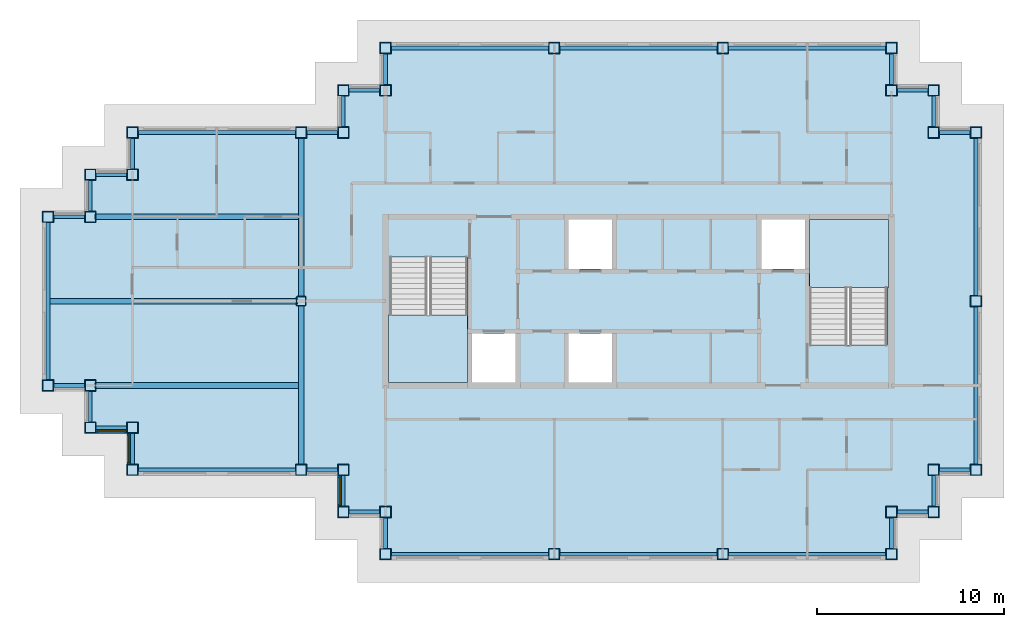
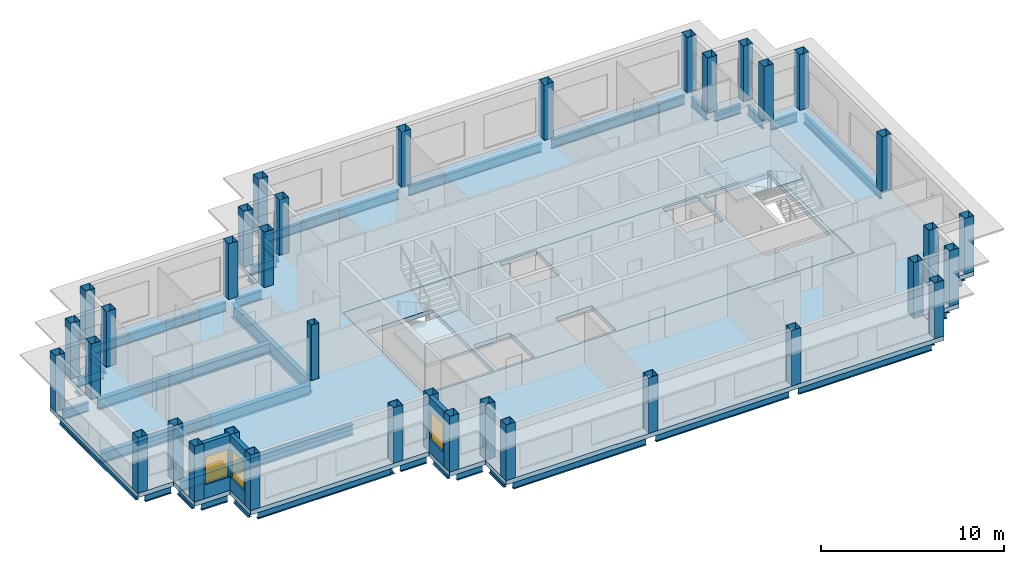
# One storey, part 1 of 11: 40 beams, 36 columns, 4 slabs, 3 walls, 3 windows, 3 openings, 2 elements without a shape of their own.
"""IFC4 building model written with IfcOpenShell, lengths in metres."""

import ifcopenshell
import ifcopenshell.guid

model = None  # the IFC model being written
_history = None  # IfcOwnerHistory: only IFC2X3 demands one
_inside = {}  # id of a spatial element -> (the spatial element, [elements in it])
_under = {}  # id of a project, library or spatial element -> (it, [spatial elements below it])
_declared = {}  # id of a project -> (the project, [libraries it declares])
_typed = {}  # id of a type object -> (the type object, [elements of that type])
_made_of = {}  # id of a material, layer set ... -> (it, [elements and type objects made of it])


def new_model(schema):
    """Start an empty IFC model of exactly this schema.

    Asked for "IFC4X3", IfcOpenShell would pick the latest addendum, in which some entities
    have other attributes; the version numbers below select the first issue.
    IFC2X3 requires an IfcOwnerHistory on every rooted entity: one is made here for all.
    """
    global model, _history
    if schema == "IFC4X3":
        model = ifcopenshell.file(schema_version=(4, 3, 0, 0))
    else:
        model = ifcopenshell.file(schema=schema)
    _inside.clear()
    _under.clear()
    _declared.clear()
    _typed.clear()
    _made_of.clear()
    _history = None
    if model.schema == "IFC2X3":
        org = make("IfcOrganization", Name="unknown")
        user = make(
            "IfcPersonAndOrganization",
            ThePerson=make("IfcPerson", FamilyName="unknown"),
            TheOrganization=org,
        )
        app = make(
            "IfcApplication",
            ApplicationDeveloper=org,
            Version="unknown",
            ApplicationFullName="unknown",
            ApplicationIdentifier="unknown",
        )
        _history = make(
            "IfcOwnerHistory",
            OwningUser=user,
            OwningApplication=app,
            ChangeAction="ADDED",
            CreationDate=0,
        )
    return model


def make(cls, **values):
    """One entity of the class cls with the attributes given. An attribute that is None is left unset."""
    return model.create_entity(
        cls, **{name: value for name, value in values.items() if value is not None}
    )


def rooted(cls, **values):
    """An entity with a GlobalId (a new one), such as an element, a storey or a relation."""
    return make(cls, GlobalId=ifcopenshell.guid.new(), OwnerHistory=_history, **values)


def si_unit(unit_type, name, prefix=None):
    """IfcSIUnit, for example si_unit("LENGTHUNIT", "METRE", prefix="MILLI")."""
    return make("IfcSIUnit", UnitType=unit_type, Prefix=prefix, Name=name)


def assignment(units):
    """IfcUnitAssignment: the units of a project."""
    return None if units is None else make("IfcUnitAssignment", Units=units)


def point(xyz):
    """IfcCartesianPoint."""
    return None if xyz is None else make("IfcCartesianPoint", Coordinates=xyz)


def direction(xyz):
    """IfcDirection."""
    return None if xyz is None else make("IfcDirection", DirectionRatios=xyz)


def frame(location, z_axis=None, x_axis=None):
    """IfcAxis2Placement3D, a coordinate frame: its origin and axes. An axis left out is left unset."""
    return make(
        "IfcAxis2Placement3D",
        Location=point(location),
        Axis=direction(z_axis),
        RefDirection=direction(x_axis),
    )


def frame_2d(location, x_axis=None):
    """IfcAxis2Placement2D, a coordinate frame in the plane: its origin and x axis."""
    return make(
        "IfcAxis2Placement2D", Location=point(location), RefDirection=direction(x_axis)
    )


def origin():
    """The frame at (0, 0, 0) with its axes left unset."""
    return frame((0.0, 0.0, 0.0))


def origin_2d():
    """The frame at (0, 0) in the plane with its x axis left unset."""
    return frame_2d((0.0, 0.0))


def place(relative_to, where):
    """IfcLocalPlacement: puts the frame where relative to a parent placement (None: the world)."""
    return make(
        "IfcLocalPlacement", PlacementRelTo=relative_to, RelativePlacement=where
    )


def context(
    kind, dimensions, precision=None, world=None, true_north=None, identifier=None
):
    """IfcGeometricRepresentationContext, for example the 3D "Model" context."""
    return make(
        "IfcGeometricRepresentationContext",
        ContextIdentifier=identifier,
        ContextType=kind,
        CoordinateSpaceDimension=dimensions,
        Precision=precision,
        WorldCoordinateSystem=world,
        TrueNorth=true_north,
    )


def subcontext(parent, identifier, kind, view, scale=None):
    """IfcGeometricRepresentationSubContext, for example "Body" below "Model"."""
    return make(
        "IfcGeometricRepresentationSubContext",
        ContextIdentifier=identifier,
        ContextType=kind,
        ParentContext=parent,
        TargetScale=scale,
        TargetView=view,
    )


def project(units=None, contexts=None):
    """IfcProject with its units and contexts."""
    return rooted(
        "IfcProject",
        Name="project",
        RepresentationContexts=contexts,
        UnitsInContext=assignment(units),
    )


def spatial(cls, under=None, at=None, **own):
    """A site, building, storey or space (cls), placed at a placement, below another one or the project."""
    s = rooted(cls, ObjectPlacement=at, **own)
    if under is not None:
        _under.setdefault(under.id(), (under, []))[1].append(s)
    return s


def polyline(points):
    """IfcPolyline through the points."""
    return make("IfcPolyline", Points=[point(p) for p in points])


def profile(cls, at=None, kind="AREA", **sizes):
    """A parametric profile (cls). Its sizes go by their IFC names, for example OverallWidth=200.0."""
    return make(cls, ProfileType=kind, Position=at, **sizes)


def rectangle(**sizes):
    """IfcRectangleProfileDef."""
    return profile("IfcRectangleProfileDef", **sizes)


def hollow_rectangle(**sizes):
    """IfcRectangleHollowProfileDef."""
    return profile("IfcRectangleHollowProfileDef", **sizes)


def i_section(**sizes):
    """IfcIShapeProfileDef."""
    return profile("IfcIShapeProfileDef", **sizes)


def outline(outer, holes=None, kind="AREA"):
    """IfcArbitraryClosedProfileDef: a profile drawn as a closed curve; with holes, ...WithVoids."""
    if holes is None:
        return make("IfcArbitraryClosedProfileDef", ProfileType=kind, OuterCurve=outer)
    return make(
        "IfcArbitraryProfileDefWithVoids",
        ProfileType=kind,
        OuterCurve=outer,
        InnerCurves=holes,
    )


def extrude(swept, where, along, depth):
    """IfcExtrudedAreaSolid: the profile swept, set in the frame where, extruded along a direction by depth."""
    return make(
        "IfcExtrudedAreaSolid",
        SweptArea=swept,
        Position=where,
        ExtrudedDirection=direction(along),
        Depth=depth,
    )


def shape(context_of_items, identifier, shape_type, items):
    """IfcShapeRepresentation: the items that make up one representation, for example the "Body"."""
    return make(
        "IfcShapeRepresentation",
        ContextOfItems=context_of_items,
        RepresentationIdentifier=identifier,
        RepresentationType=shape_type,
        Items=items,
    )


def material(Name=None, Category=None):
    """IfcMaterial."""
    return make("IfcMaterial", Name=Name, Category=Category)


def layer(
    of_material, thickness, ventilated=None, Name=None, Category=None, Priority=None
):
    """IfcMaterialLayer: one layer of a wall or slab, of a material (None: an air gap)."""
    return make(
        "IfcMaterialLayer",
        Material=of_material,
        LayerThickness=thickness,
        IsVentilated=ventilated,
        Name=Name,
        Category=Category,
        Priority=Priority,
    )


def layer_set(layers, Name=None):
    """IfcMaterialLayerSet."""
    return make("IfcMaterialLayerSet", MaterialLayers=layers, LayerSetName=Name)


def material_profile(
    of_material, cross_section, Name=None, Category=None, Priority=None
):
    """IfcMaterialProfile: a cross section and its material."""
    return make(
        "IfcMaterialProfile",
        Name=Name,
        Material=of_material,
        Profile=cross_section,
        Priority=Priority,
        Category=Category,
    )


def profile_set(profiles, Name=None, composite=None):
    """IfcMaterialProfileSet."""
    return make(
        "IfcMaterialProfileSet",
        Name=Name,
        MaterialProfiles=profiles,
        CompositeProfile=composite,
    )


def made_of(thing, what):
    """Note that an element or type object is made of a material, layer set ...; save() writes the relation."""
    if what is not None:
        _made_of.setdefault(what.id(), (what, []))[1].append(thing)
    return thing


def type_object(cls, material=None, **own):
    """A type object (cls), such as IfcWallType, which elements share."""
    return made_of(rooted(cls, **own), material)


def element(
    cls,
    number,
    at=None,
    inside=None,
    cuts=None,
    type_object=None,
    material=None,
    context=None,
    identifier="Body",
    shape_type=None,
    held_by="IfcProductDefinitionShape",
    body=None,
    shapes=None,
    **own,
):
    """One element of the class cls, such as IfcWall. Its Tag is "e" and its number.

    at: its placement. inside: the storey or other place that contains it. cuts: it is an
    opening in that element (IfcRelVoidsElement). A single representation is given by context,
    identifier, shape_type and body (its items); several are given by shapes. held_by: the class
    of the entity that holds the representations. save() writes the other relations.
    """
    e = rooted(cls, Tag="e%d" % number, ObjectPlacement=at, **own)
    if body is not None:
        shapes = [shape(context, identifier, shape_type, body)]
    if shapes is not None:
        e.Representation = make(held_by, Representations=shapes)
    if inside is not None:
        _inside.setdefault(inside.id(), (inside, []))[1].append(e)
    if cuts is not None:
        rooted(
            "IfcRelVoidsElement", RelatingBuildingElement=cuts, RelatedOpeningElement=e
        )
    if type_object is not None:
        _typed.setdefault(type_object.id(), (type_object, []))[1].append(e)
    return made_of(e, material)


def fill(opening, filler):
    """IfcRelFillsElement: the door or window that sits in an opening."""
    return rooted(
        "IfcRelFillsElement",
        RelatingOpeningElement=opening,
        RelatedBuildingElement=filler,
    )


def aggregate(whole, parts):
    """IfcRelAggregates: a whole, such as a stair, and the parts it consists of."""
    return rooted("IfcRelAggregates", RelatingObject=whole, RelatedObjects=parts)


def save(model, path):
    """Write the relations noted so far, then the file.

    IfcRelAggregates (storeys below a building ...), IfcRelContainedInSpatialStructure (elements
    in a storey), IfcRelDefinesByType, IfcRelAssociatesMaterial and IfcRelDeclares: one each for
    every whole, place, type object, material and project.
    """
    for whole, parts in _under.values():
        aggregate(whole, parts)
    for where, things in _inside.values():
        rooted(
            "IfcRelContainedInSpatialStructure",
            RelatedElements=things,
            RelatingStructure=where,
        )
    for kind, things in _typed.values():
        rooted("IfcRelDefinesByType", RelatedObjects=things, RelatingType=kind)
    for what, things in _made_of.values():
        rooted("IfcRelAssociatesMaterial", RelatedObjects=things, RelatingMaterial=what)
    for by, libraries in _declared.values():
        rooted("IfcRelDeclares", RelatingContext=by, RelatedDefinitions=libraries)
    model.write(path)


model = new_model("IFC4")

# Units and contexts
model_context = context("Model", 3, precision=1e-05, world=origin(), true_north=direction((0.0, 1.0)))
body_context = subcontext(model_context, "Body", "Model", "MODEL_VIEW")
ifc_project = project(units=[si_unit("LENGTHUNIT", "METRE"), si_unit("AREAUNIT", "SQUARE_METRE"), si_unit("VOLUMEUNIT", "CUBIC_METRE"), si_unit("PLANEANGLEUNIT", "RADIAN"), si_unit("MASSUNIT", "GRAM", prefix="KILO")], contexts=[model_context])

# Site, building, storey
site_placement = place(None, origin())
site = spatial("IfcSite", under=ifc_project, at=site_placement, CompositionType="ELEMENT")
building_placement = place(site_placement, origin())
building = spatial("IfcBuilding", under=site, at=building_placement, Name="Caravel Reach Hotel and Residences", CompositionType="ELEMENT")
storey_placement = place(building_placement, frame((0.0, 0.0, 260.10009765625)))
storey = spatial("IfcBuildingStorey", under=building, at=storey_placement, Name="L66", CompositionType="ELEMENT", Elevation=260.10009765625)

# Columns
ifc_material_1 = material(Name="Concrete-filled steel tube Q390B with Concrete C60 infill", Category="concrete")
ifc_material_profile_1 = material_profile(ifc_material_1, hollow_rectangle(XDim=0.5, YDim=0.5, WallThickness=0.01611328125, InnerFilletRadius=0.031982421875, OuterFilletRadius=0.048095703125, at=origin_2d()), Name="RHS 500x500x16")
ifc_profile_set_1 = profile_set([ifc_material_profile_1], Name="Concrete-filled steel tube Q390B with Concrete C60 infill")
column_type_1 = type_object("IfcColumnType", Name="CFT 500x500 Q390B C60", PredefinedType="COLUMN", material=ifc_profile_set_1)
column_placement = place(storey_placement, frame((13.5, 27.0, 0.0), z_axis=(0.0, 0.0, 1.0), x_axis=(1.0, 0.0, 0.0)))
element("IfcColumn", 1, at=column_placement, inside=storey, type_object=column_type_1, Name="C9 column", PredefinedType="COLUMN", context=body_context, shape_type="SweptSolid", body=[
    extrude(hollow_rectangle(XDim=0.5, YDim=0.5, WallThickness=0.01611328125, InnerFilletRadius=0.031982421875, OuterFilletRadius=0.048095703125, at=origin_2d()), origin(), (0.0, 0.0, 1.0), 3.699951171875),
])
ifc_material_2 = material(Name="Concrete-filled steel tube Q390B with Concrete C60 infill", Category="concrete")
ifc_material_profile_2 = material_profile(ifc_material_2, hollow_rectangle(XDim=0.60009765625, YDim=0.60009765625, WallThickness=0.02001953125, at=origin_2d()), Name="RHS 600x600x20")
ifc_profile_set_2 = profile_set([ifc_material_profile_2], Name="Concrete-filled steel tube Q390B with Concrete C60 infill")
column_type_2 = type_object("IfcColumnType", Name="CFT 600x600 Q390B C60", PredefinedType="COLUMN", material=ifc_profile_set_2)
for number, where, z_axis, x_axis, name in (
    (2, (15.75, 18.0, 0.0), (0.0, 0.0, 1.0), (1.0, 0.0, 0.0), "C8 column"),
    (3, (15.75, 15.75, 0.0), (0.0, 0.0, 1.0), (1.0, 0.0, 0.0), "C8 column"),
    (4, (18.0, 15.75, 0.0), (0.0, 0.0, 1.0), (1.0, 0.0, 0.0), "C8 column"),
    (5, (18.0, 13.5, 0.0), (0.0, 0.0, 1.0), (1.0, 0.0, 0.0), "C8 column"),
    (6, (27.0, 13.5, 0.0), (0.0, 0.0, 1.0), (1.0, 0.0, 0.0), "C8 column"),
    (7, (36.0, 13.5, 0.0), (0.0, 0.0, 1.0), (1.0, 0.0, 0.0), "C8 column"),
    (8, (45.0, 13.5, 0.0), (0.0, 0.0, 1.0), (1.0, 0.0, 0.0), "C8 column"),
    (9, (45.0, 15.75, 0.0), (0.0, 0.0, 1.0), (1.0, 0.0, 0.0), "C8 column"),
    (10, (47.25, 15.75, 0.0), (0.0, 0.0, 1.0), (1.0, 0.0, 0.0), "C8 column"),
    (11, (47.25, 18.0, 0.0), (0.0, 0.0, 1.0), (1.0, 0.0, 0.0), "C8 column"),
    (12, (49.5, 18.0, 0.0), (0.0, 0.0, 1.0), (1.0, 0.0, 0.0), "C8 column"),
    (13, (49.5, 27.0, 0.0), (0.0, 0.0, 1.0), (1.0, 0.0, 0.0), "C8 column"),
    (14, (49.5, 36.0, 0.0), (0.0, 0.0, 1.0), (1.0, 0.0, 0.0), "C8 column"),
    (15, (47.25, 36.0, 0.0), (0.0, 0.0, 1.0), (1.0, 0.0, 0.0), "C8 column"),
    (16, (47.25, 38.25, 0.0), (0.0, 0.0, 1.0), (1.0, 0.0, 0.0), "C8 column"),
    (17, (45.0, 38.25, 0.0), (0.0, 0.0, 1.0), (1.0, 0.0, 0.0), "C8 column"),
    (18, (45.0, 40.5, 0.0), (0.0, 0.0, 1.0), (1.0, 0.0, 0.0), "C8 column"),
    (19, (36.0, 40.5, 0.0), (0.0, 0.0, 1.0), (1.0, 0.0, 0.0), "C8 column"),
    (20, (27.0, 40.5, 0.0), (0.0, 0.0, 1.0), (1.0, 0.0, 0.0), "C8 column"),
    (21, (18.0, 40.5, 0.0), (0.0, 0.0, 1.0), (1.0, 0.0, 0.0), "C8 column"),
    (22, (18.0, 38.25, 0.0), (0.0, 0.0, 1.0), (1.0, 0.0, 0.0), "C8 column"),
    (23, (15.75, 38.25, 0.0), (0.0, 0.0, 1.0), (1.0, 0.0, 0.0), "C8 column"),
    (24, (15.75, 36.0, 0.0), (0.0, 0.0, 1.0), (1.0, 0.0, 0.0), "C8 column"),
    (25, (13.5, 36.0, 0.0), (0.0, 0.0, 1.0), (1.0, 0.0, 0.0), "C8 column"),
    (26, (4.5, 36.0, 0.0), (0.0, 0.0, 1.0), (1.0, 0.0, 0.0), "C8 column"),
    (27, (4.5, 33.75, 0.0), (0.0, 0.0, 1.0), (1.0, 0.0, 0.0), "C8 column"),
    (28, (2.25, 33.75, 0.0), (0.0, 0.0, 1.0), (1.0, 0.0, 0.0), "C8 column"),
    (29, (2.25, 31.5, 0.0), (0.0, 0.0, 1.0), (1.0, 0.0, 0.0), "C8 column"),
    (30, (0.0, 31.5, 0.0), (0.0, 0.0, 1.0), (1.0, 0.0, 0.0), "C8 column"),
    (31, (0.0, 22.5, 0.0), (0.0, 0.0, 1.0), (1.0, 0.0, 0.0), "C8 column"),
    (32, (2.25, 22.5, 0.0), (0.0, 0.0, 1.0), (1.0, 0.0, 0.0), "C8 column"),
    (33, (2.25, 20.25, 0.0), (0.0, 0.0, 1.0), (1.0, 0.0, 0.0), "C8 column"),
    (34, (4.5, 20.25, 0.0), (0.0, 0.0, 1.0), (1.0, 0.0, 0.0), "C8 column"),
    (35, (4.5, 18.0, 0.0), (0.0, 0.0, 1.0), (1.0, 0.0, 0.0), "C8 column"),
    (36, (13.5, 18.0, 0.0), (0.0, 0.0, 1.0), (1.0, 0.0, 0.0), "C8 column"),
):
    element("IfcColumn", number, at=place(storey_placement, frame(where, z_axis=z_axis, x_axis=x_axis)), inside=storey, type_object=column_type_2, Name=name, PredefinedType="COLUMN", context=body_context, shape_type="SweptSolid", body=[
        extrude(hollow_rectangle(XDim=0.60009765625, YDim=0.60009765625, WallThickness=0.02001953125, at=origin_2d()), origin(), (0.0, 0.0, 1.0), 3.699951171875),
    ])

# Beams
ifc_material_3 = material(Name="Structural steel Q355B", Category="steel")
ifc_material_profile_3 = material_profile(ifc_material_3, i_section(OverallWidth=0.300048828125, OverallDepth=0.699951171875, WebThickness=0.012939453125, FlangeThickness=0.02392578125, FilletRadius=0.01806640625, at=origin_2d()), Name="HN 700x300x13x24")
ifc_profile_set_3 = profile_set([ifc_material_profile_3], Name="Structural steel Q355B")
beam_type_1 = type_object("IfcBeamType", Name="Beam HN 700x300x13x24", PredefinedType="BEAM", material=ifc_profile_set_3)
beam_1_placement = place(storey_placement, frame((13.39990234375, 22.5, -0.650146484375), z_axis=(-1.0, 0.0, 0.0), x_axis=(0.0, -1.0, 0.0)))
element("IfcBeam", 37, at=beam_1_placement, inside=storey, type_object=beam_type_1, Name="B2 HN 700x300x13x24", PredefinedType="BEAM", context=body_context, shape_type="SweptSolid", body=[
    extrude(i_section(OverallWidth=0.300048828125, OverallDepth=0.699951171875, WebThickness=0.012939453125, FlangeThickness=0.02392578125, FilletRadius=0.01806640625, at=origin_2d()), origin(), (0.0, 0.0, 1.0), 10.89990234375),
])
beam_2_placement = place(storey_placement, frame((13.300048828125, 27.0, -0.650146484375), z_axis=(-1.0, 0.0, 0.0), x_axis=(0.0, -1.0, 0.0)))
element("IfcBeam", 38, at=beam_2_placement, inside=storey, type_object=beam_type_1, Name="B2 HN 700x300x13x24", PredefinedType="BEAM", context=body_context, shape_type="SweptSolid", body=[
    extrude(i_section(OverallWidth=0.300048828125, OverallDepth=0.699951171875, WebThickness=0.012939453125, FlangeThickness=0.02392578125, FilletRadius=0.01806640625, at=origin_2d()), origin(), (0.0, 0.0, 1.0), 13.199951171875),
])
beam_3_placement = place(storey_placement, frame((13.39990234375, 31.5, -0.650146484375), z_axis=(-1.0, 0.0, 0.0), x_axis=(0.0, -1.0, 0.0)))
element("IfcBeam", 39, at=beam_3_placement, inside=storey, type_object=beam_type_1, Name="B2 HN 700x300x13x24", PredefinedType="BEAM", context=body_context, shape_type="SweptSolid", body=[
    extrude(i_section(OverallWidth=0.300048828125, OverallDepth=0.699951171875, WebThickness=0.012939453125, FlangeThickness=0.02392578125, FilletRadius=0.01806640625, at=origin_2d()), origin(), (0.0, 0.0, 1.0), 10.89990234375),
])
ifc_material_4 = material(Name="Structural steel Q355B", Category="steel")
ifc_material_profile_4 = material_profile(ifc_material_4, i_section(OverallWidth=0.300048828125, OverallDepth=0.89990234375, WebThickness=0.01611328125, FlangeThickness=0.028076171875, FilletRadius=0.01806640625, at=origin_2d()), Name="HN 900x300x16x28")
ifc_profile_set_4 = profile_set([ifc_material_profile_4], Name="Structural steel Q355B")
beam_type_2 = type_object("IfcBeamType", Name="Beam HN 900x300x16x28", PredefinedType="BEAM", material=ifc_profile_set_4)
for number, where, z_axis, x_axis, name in (
    (40, (13.5, 18.300048828125, -0.75), (0.0, 1.0, 0.0), (-1.0, 0.0, 0.0), "B3 HN 900x300x16x28"),
    (41, (13.5, 27.25, -0.75), (0.0, 1.0, 0.0), (-1.0, 0.0, 0.0), "B3 HN 900x300x16x28"),
):
    element("IfcBeam", number, at=place(storey_placement, frame(where, z_axis=z_axis, x_axis=x_axis)), inside=storey, type_object=beam_type_2, Name=name, PredefinedType="BEAM", context=body_context, shape_type="SweptSolid", body=[
        extrude(i_section(OverallWidth=0.300048828125, OverallDepth=0.89990234375, WebThickness=0.01611328125, FlangeThickness=0.028076171875, FilletRadius=0.01806640625, at=origin_2d()), origin(), (0.0, 0.0, 1.0), 8.449951171875),
    ])
ifc_material_5 = material(Name="Structural steel Q355B", Category="steel")
ifc_material_profile_5 = material_profile(ifc_material_5, i_section(OverallWidth=0.199951171875, OverallDepth=0.60009765625, WebThickness=0.010986328125, FlangeThickness=0.01708984375, FilletRadius=0.012939453125, at=origin_2d()), Name="HN 600x200x11x17")
ifc_profile_set_5 = profile_set([ifc_material_profile_5], Name="Structural steel Q355B")
beam_type_3 = type_object("IfcBeamType", Name="Spandrel beam HN 600x200x11x17", PredefinedType="SPANDREL", material=ifc_profile_set_5)
for number, where, z_axis, x_axis, name in (
    (42, (15.75, 17.699951171875, -0.60009765625), (0.0, -1.0, 0.0), (1.0, 0.0, 0.0), "SP1 HN 600x200x11x17"),
    (43, (16.050048828125, 15.75, -0.60009765625), (1.0, 0.0, 0.0), (0.0, 1.0, 0.0), "SP1 HN 600x200x11x17"),
    (44, (18.0, 15.449951171875, -0.60009765625), (0.0, -1.0, 0.0), (1.0, 0.0, 0.0), "SP1 HN 600x200x11x17"),
):
    element("IfcBeam", number, at=place(storey_placement, frame(where, z_axis=z_axis, x_axis=x_axis)), inside=storey, type_object=beam_type_3, Name=name, PredefinedType="SPANDREL", context=body_context, shape_type="SweptSolid", body=[
        extrude(i_section(OverallWidth=0.199951171875, OverallDepth=0.60009765625, WebThickness=0.010986328125, FlangeThickness=0.01708984375, FilletRadius=0.012939453125, at=origin_2d()), origin(), (0.0, 0.0, 1.0), 1.64990234375),
    ])
for number, where, z_axis, x_axis, name in (
    (45, (18.300048828125, 13.5, -0.60009765625), (1.0, 0.0, 0.0), (0.0, 1.0, 0.0), "SP1 HN 600x200x11x17"),
    (46, (27.300048828125, 13.5, -0.60009765625), (1.0, 0.0, 0.0), (0.0, 1.0, 0.0), "SP1 HN 600x200x11x17"),
    (47, (36.300048828125, 13.5, -0.60009765625), (1.0, 0.0, 0.0), (0.0, 1.0, 0.0), "SP1 HN 600x200x11x17"),
):
    element("IfcBeam", number, at=place(storey_placement, frame(where, z_axis=z_axis, x_axis=x_axis)), inside=storey, type_object=beam_type_3, Name=name, PredefinedType="SPANDREL", context=body_context, shape_type="SweptSolid", body=[
        extrude(i_section(OverallWidth=0.199951171875, OverallDepth=0.60009765625, WebThickness=0.010986328125, FlangeThickness=0.01708984375, FilletRadius=0.012939453125, at=origin_2d()), origin(), (0.0, 0.0, 1.0), 8.39990234375),
    ])
for number, where, z_axis, x_axis, name in (
    (48, (45.0, 13.800048828125, -0.60009765625), (0.0, 1.0, 0.0), (-1.0, 0.0, 0.0), "SP1 HN 600x200x11x17"),
    (49, (45.300048828125, 15.75, -0.60009765625), (1.0, 0.0, 0.0), (0.0, 1.0, 0.0), "SP1 HN 600x200x11x17"),
    (50, (47.25, 16.050048828125, -0.60009765625), (0.0, 1.0, 0.0), (-1.0, 0.0, 0.0), "SP1 HN 600x200x11x17"),
    (51, (47.550048828125, 18.0, -0.60009765625), (1.0, 0.0, 0.0), (0.0, 1.0, 0.0), "SP1 HN 600x200x11x17"),
):
    element("IfcBeam", number, at=place(storey_placement, frame(where, z_axis=z_axis, x_axis=x_axis)), inside=storey, type_object=beam_type_3, Name=name, PredefinedType="SPANDREL", context=body_context, shape_type="SweptSolid", body=[
        extrude(i_section(OverallWidth=0.199951171875, OverallDepth=0.60009765625, WebThickness=0.010986328125, FlangeThickness=0.01708984375, FilletRadius=0.012939453125, at=origin_2d()), origin(), (0.0, 0.0, 1.0), 1.64990234375),
    ])
for number, where, z_axis, x_axis, name in (
    (52, (49.5, 18.300048828125, -0.60009765625), (0.0, 1.0, 0.0), (-1.0, 0.0, 0.0), "SP1 HN 600x200x11x17"),
    (53, (49.5, 27.300048828125, -0.60009765625), (0.0, 1.0, 0.0), (-1.0, 0.0, 0.0), "SP1 HN 600x200x11x17"),
):
    element("IfcBeam", number, at=place(storey_placement, frame(where, z_axis=z_axis, x_axis=x_axis)), inside=storey, type_object=beam_type_3, Name=name, PredefinedType="SPANDREL", context=body_context, shape_type="SweptSolid", body=[
        extrude(i_section(OverallWidth=0.199951171875, OverallDepth=0.60009765625, WebThickness=0.010986328125, FlangeThickness=0.01708984375, FilletRadius=0.012939453125, at=origin_2d()), origin(), (0.0, 0.0, 1.0), 8.39990234375),
    ])
for number, where, z_axis, x_axis, name in (
    (54, (49.199951171875, 36.0, -0.60009765625), (-1.0, 0.0, 0.0), (0.0, -1.0, 0.0), "SP1 HN 600x200x11x17"),
    (55, (47.25, 36.300048828125, -0.60009765625), (0.0, 1.0, 0.0), (-1.0, 0.0, 0.0), "SP1 HN 600x200x11x17"),
    (56, (46.949951171875, 38.25, -0.60009765625), (-1.0, 0.0, 0.0), (0.0, -1.0, 0.0), "SP1 HN 600x200x11x17"),
    (57, (45.0, 38.550048828125, -0.60009765625), (0.0, 1.0, 0.0), (-1.0, 0.0, 0.0), "SP1 HN 600x200x11x17"),
):
    element("IfcBeam", number, at=place(storey_placement, frame(where, z_axis=z_axis, x_axis=x_axis)), inside=storey, type_object=beam_type_3, Name=name, PredefinedType="SPANDREL", context=body_context, shape_type="SweptSolid", body=[
        extrude(i_section(OverallWidth=0.199951171875, OverallDepth=0.60009765625, WebThickness=0.010986328125, FlangeThickness=0.01708984375, FilletRadius=0.012939453125, at=origin_2d()), origin(), (0.0, 0.0, 1.0), 1.64990234375),
    ])
for number, where, z_axis, x_axis, name in (
    (58, (44.699951171875, 40.5, -0.60009765625), (-1.0, 0.0, 0.0), (0.0, -1.0, 0.0), "SP1 HN 600x200x11x17"),
    (59, (35.699951171875, 40.5, -0.60009765625), (-1.0, 0.0, 0.0), (0.0, -1.0, 0.0), "SP1 HN 600x200x11x17"),
    (60, (26.699951171875, 40.5, -0.60009765625), (-1.0, 0.0, 0.0), (0.0, -1.0, 0.0), "SP1 HN 600x200x11x17"),
):
    element("IfcBeam", number, at=place(storey_placement, frame(where, z_axis=z_axis, x_axis=x_axis)), inside=storey, type_object=beam_type_3, Name=name, PredefinedType="SPANDREL", context=body_context, shape_type="SweptSolid", body=[
        extrude(i_section(OverallWidth=0.199951171875, OverallDepth=0.60009765625, WebThickness=0.010986328125, FlangeThickness=0.01708984375, FilletRadius=0.012939453125, at=origin_2d()), origin(), (0.0, 0.0, 1.0), 8.39990234375),
    ])
for number, where, z_axis, x_axis, name in (
    (61, (18.0, 40.199951171875, -0.60009765625), (0.0, -1.0, 0.0), (1.0, 0.0, 0.0), "SP1 HN 600x200x11x17"),
    (62, (17.699951171875, 38.25, -0.60009765625), (-1.0, 0.0, 0.0), (0.0, -1.0, 0.0), "SP1 HN 600x200x11x17"),
    (63, (15.75, 37.949951171875, -0.60009765625), (0.0, -1.0, 0.0), (1.0, 0.0, 0.0), "SP1 HN 600x200x11x17"),
    (64, (15.449951171875, 36.0, -0.60009765625), (-1.0, 0.0, 0.0), (0.0, -1.0, 0.0), "SP1 HN 600x200x11x17"),
):
    element("IfcBeam", number, at=place(storey_placement, frame(where, z_axis=z_axis, x_axis=x_axis)), inside=storey, type_object=beam_type_3, Name=name, PredefinedType="SPANDREL", context=body_context, shape_type="SweptSolid", body=[
        extrude(i_section(OverallWidth=0.199951171875, OverallDepth=0.60009765625, WebThickness=0.010986328125, FlangeThickness=0.01708984375, FilletRadius=0.012939453125, at=origin_2d()), origin(), (0.0, 0.0, 1.0), 1.64990234375),
    ])
beam_4_placement = place(storey_placement, frame((13.199951171875, 36.0, -0.60009765625), z_axis=(-1.0, 0.0, 0.0), x_axis=(0.0, -1.0, 0.0)))
element("IfcBeam", 65, at=beam_4_placement, inside=storey, type_object=beam_type_3, Name="SP1 HN 600x200x11x17", PredefinedType="SPANDREL", context=body_context, shape_type="SweptSolid", body=[
    extrude(i_section(OverallWidth=0.199951171875, OverallDepth=0.60009765625, WebThickness=0.010986328125, FlangeThickness=0.01708984375, FilletRadius=0.012939453125, at=origin_2d()), origin(), (0.0, 0.0, 1.0), 8.39990234375),
])
for number, where, z_axis, x_axis, name in (
    (66, (4.5, 35.699951171875, -0.60009765625), (0.0, -1.0, 0.0), (1.0, 0.0, 0.0), "SP1 HN 600x200x11x17"),
    (67, (4.199951171875, 33.75, -0.60009765625), (-1.0, 0.0, 0.0), (0.0, -1.0, 0.0), "SP1 HN 600x200x11x17"),
    (68, (2.25, 33.449951171875, -0.60009765625), (0.0, -1.0, 0.0), (1.0, 0.0, 0.0), "SP1 HN 600x200x11x17"),
    (69, (1.949951171875, 31.5, -0.60009765625), (-1.0, 0.0, 0.0), (0.0, -1.0, 0.0), "SP1 HN 600x200x11x17"),
):
    element("IfcBeam", number, at=place(storey_placement, frame(where, z_axis=z_axis, x_axis=x_axis)), inside=storey, type_object=beam_type_3, Name=name, PredefinedType="SPANDREL", context=body_context, shape_type="SweptSolid", body=[
        extrude(i_section(OverallWidth=0.199951171875, OverallDepth=0.60009765625, WebThickness=0.010986328125, FlangeThickness=0.01708984375, FilletRadius=0.012939453125, at=origin_2d()), origin(), (0.0, 0.0, 1.0), 1.64990234375),
    ])
beam_5_placement = place(storey_placement, frame((0.0, 31.199951171875, -0.60009765625), z_axis=(0.0, -1.0, 0.0), x_axis=(1.0, 0.0, 0.0)))
element("IfcBeam", 70, at=beam_5_placement, inside=storey, type_object=beam_type_3, Name="SP1 HN 600x200x11x17", PredefinedType="SPANDREL", context=body_context, shape_type="SweptSolid", body=[
    extrude(i_section(OverallWidth=0.199951171875, OverallDepth=0.60009765625, WebThickness=0.010986328125, FlangeThickness=0.01708984375, FilletRadius=0.012939453125, at=origin_2d()), origin(), (0.0, 0.0, 1.0), 8.39990234375),
])
for number, where, z_axis, x_axis, name in (
    (71, (0.300048828125, 22.5, -0.60009765625), (1.0, 0.0, 0.0), (0.0, 1.0, 0.0), "SP1 HN 600x200x11x17"),
    (72, (2.25, 22.199951171875, -0.60009765625), (0.0, -1.0, 0.0), (1.0, 0.0, 0.0), "SP1 HN 600x200x11x17"),
    (73, (2.550048828125, 20.25, -0.60009765625), (1.0, 0.0, 0.0), (0.0, 1.0, 0.0), "SP1 HN 600x200x11x17"),
    (74, (4.5, 19.949951171875, -0.60009765625), (0.0, -1.0, 0.0), (1.0, 0.0, 0.0), "SP1 HN 600x200x11x17"),
):
    element("IfcBeam", number, at=place(storey_placement, frame(where, z_axis=z_axis, x_axis=x_axis)), inside=storey, type_object=beam_type_3, Name=name, PredefinedType="SPANDREL", context=body_context, shape_type="SweptSolid", body=[
        extrude(i_section(OverallWidth=0.199951171875, OverallDepth=0.60009765625, WebThickness=0.010986328125, FlangeThickness=0.01708984375, FilletRadius=0.012939453125, at=origin_2d()), origin(), (0.0, 0.0, 1.0), 1.64990234375),
    ])
beam_6_placement = place(storey_placement, frame((4.800048828125, 18.0, -0.60009765625), z_axis=(1.0, 0.0, 0.0), x_axis=(0.0, 1.0, 0.0)))
element("IfcBeam", 75, at=beam_6_placement, inside=storey, type_object=beam_type_3, Name="SP1 HN 600x200x11x17", PredefinedType="SPANDREL", context=body_context, shape_type="SweptSolid", body=[
    extrude(i_section(OverallWidth=0.199951171875, OverallDepth=0.60009765625, WebThickness=0.010986328125, FlangeThickness=0.01708984375, FilletRadius=0.012939453125, at=origin_2d()), origin(), (0.0, 0.0, 1.0), 8.39990234375),
])
beam_7_placement = place(storey_placement, frame((13.800048828125, 18.0, -0.60009765625), z_axis=(1.0, 0.0, 0.0), x_axis=(0.0, 1.0, 0.0)))
element("IfcBeam", 76, at=beam_7_placement, inside=storey, type_object=beam_type_3, Name="SP1 HN 600x200x11x17", PredefinedType="SPANDREL", context=body_context, shape_type="SweptSolid", body=[
    extrude(i_section(OverallWidth=0.199951171875, OverallDepth=0.60009765625, WebThickness=0.010986328125, FlangeThickness=0.01708984375, FilletRadius=0.012939453125, at=origin_2d()), origin(), (0.0, 0.0, 1.0), 1.64990234375),
])

# Slab
ifc_material_6 = material(Name="Concrete C40", Category="concrete")
ifc_layer_1 = layer(ifc_material_6, 0.300048828125)
ifc_layer_set_1 = layer_set([ifc_layer_1], Name="Core floor slab 300 mm")
slab_type_1 = type_object("IfcSlabType", Name="Core floor slab 300 mm", PredefinedType="FLOOR", material=ifc_layer_set_1)
slab_1_placement = place(storey_placement, frame((0.0, 0.0, -0.300048828125)))
element("IfcSlab", 77, at=slab_1_placement, inside=storey, type_object=slab_type_1, Name="L66 core floor", PredefinedType="FLOOR", context=body_context, shape_type="SweptSolid", body=[
    extrude(outline(polyline([(18.0, 31.5), (45.0, 31.5), (45.0, 22.5), (18.0, 22.5), (18.0, 31.5)]), holes=[polyline([(22.625, 22.64990234375), (24.9462890625, 22.64990234375), (24.9462890625, 25.27490234375), (22.625, 25.27490234375), (22.625, 22.64990234375)]), polyline([(27.767822265625, 25.27490234375), (27.767822265625, 22.64990234375), (30.08935546875, 22.64990234375), (30.08935546875, 25.27490234375), (27.767822265625, 25.27490234375)]), polyline([(22.375, 22.64990234375), (22.375, 29.35009765625), (18.22509765625, 29.35009765625), (18.22509765625, 22.64990234375), (22.375, 22.64990234375)]), polyline([(40.625, 24.64990234375), (44.77490234375, 24.64990234375), (44.77490234375, 31.35009765625), (40.625, 31.35009765625), (40.625, 24.64990234375)]), polyline([(27.767822265625, 31.35009765625), (27.767822265625, 28.72509765625), (30.08935546875, 28.72509765625), (30.08935546875, 31.35009765625), (27.767822265625, 31.35009765625)]), polyline([(38.0537109375, 31.35009765625), (38.0537109375, 28.72509765625), (40.375, 28.72509765625), (40.375, 31.35009765625), (38.0537109375, 31.35009765625)])]), origin(), (0.0, 0.0, 1.0), 0.300048828125),
])

# Stair, slab
ifc_material_7 = material(Name="Concrete C40", Category="concrete")
stair_type = type_object("IfcStairType", Name="Core stair", PredefinedType="HALF_TURN_STAIR", material=ifc_material_7)
stair_1_placement = place(storey_placement, origin())
stair_1 = element("IfcStair", 78, at=stair_1_placement, inside=storey, type_object=stair_type, Name="L66 Exit stair A", PredefinedType="HALF_TURN_STAIR")
ifc_material_8 = material(Name="Concrete C40", Category="concrete")
ifc_layer_2 = layer(ifc_material_8, 0.199951171875)
ifc_layer_set_2 = layer_set([ifc_layer_2], Name="Core stair landing")
slab_type_2 = type_object("IfcSlabType", Name="Core stair landing", PredefinedType="LANDING", material=ifc_layer_set_2)
slab_2_placement = place(storey_placement, frame((0.0, 0.0, 1.64990234375)))
slab_2 = element("IfcSlab", 79, at=slab_2_placement, type_object=slab_type_2, Name="ST-A landing 1", PredefinedType="LANDING", context=body_context, shape_type="SweptSolid", body=[
    extrude(outline(polyline([(18.14990234375, 26.27001953125), (18.14990234375, 22.64990234375), (22.375, 22.64990234375), (22.375, 26.27001953125), (18.14990234375, 26.27001953125)])), origin(), (0.0, 0.0, 1.0), 0.199951171875),
])
aggregate(stair_1, [slab_2])

stair_2_placement = place(storey_placement, origin())
stair_2 = element("IfcStair", 80, at=stair_2_placement, inside=storey, type_object=stair_type, Name="L66 Exit stair B", PredefinedType="HALF_TURN_STAIR")
slab_3_placement = place(storey_placement, frame((0.0, 0.0, 1.64990234375)))
slab_3 = element("IfcSlab", 81, at=slab_3_placement, type_object=slab_type_2, Name="ST-B landing 1", PredefinedType="LANDING", context=body_context, shape_type="SweptSolid", body=[
    extrude(outline(polyline([(44.85009765625, 27.72998046875), (44.85009765625, 31.35009765625), (40.625, 31.35009765625), (40.625, 27.72998046875), (44.85009765625, 27.72998046875)])), origin(), (0.0, 0.0, 1.0), 0.199951171875),
])
aggregate(stair_2, [slab_3])

# Slab
ifc_material_9 = material(Name="Concrete C40 post-tensioned", Category="concrete")
ifc_layer_3 = layer(ifc_material_9, 0.300048828125)
ifc_layer_set_3 = layer_set([ifc_layer_3], Name="Floor slab 300")
slab_type_3 = type_object("IfcSlabType", Name="Floor slab 300", PredefinedType="FLOOR", material=ifc_layer_set_3)
slab_4_placement = place(storey_placement, frame((0.0, 0.0, -0.300048828125)))
element("IfcSlab", 82, at=slab_4_placement, inside=storey, type_object=slab_type_3, Name="S2 slab L66", PredefinedType="FLOOR", context=body_context, shape_type="SweptSolid", body=[
    extrude(outline(polyline([(4.199951171875, 19.949951171875), (1.949951171875, 19.949951171875), (1.949951171875, 22.199951171875), (-0.300048828125, 22.199951171875), (-0.300048828125, 31.800048828125), (1.949951171875, 31.800048828125), (1.949951171875, 34.050048828125), (4.199951171875, 34.050048828125), (4.199951171875, 36.300048828125), (15.449951171875, 36.300048828125), (15.449951171875, 38.550048828125), (17.699951171875, 38.550048828125), (17.699951171875, 40.800048828125), (45.300048828125, 40.800048828125), (45.300048828125, 38.550048828125), (47.550048828125, 38.550048828125), (47.550048828125, 36.300048828125), (49.800048828125, 36.300048828125), (49.800048828125, 17.699951171875), (47.550048828125, 17.699951171875), (47.550048828125, 15.449951171875), (45.300048828125, 15.449951171875), (45.300048828125, 13.199951171875), (17.699951171875, 13.199951171875), (17.699951171875, 15.449951171875), (15.449951171875, 15.449951171875), (15.449951171875, 17.699951171875), (4.199951171875, 17.699951171875), (4.199951171875, 19.949951171875)]), holes=[polyline([(45.0, 31.5), (18.0, 31.5), (18.0, 22.5), (45.0, 22.5), (45.0, 31.5)])]), origin(), (0.0, 0.0, 1.0), 0.300048828125),
])

# Wall, opening, window
ifc_material_10 = material(Name="Insulated rainscreen wall, aluminium cladding", Category="aluminium")
ifc_layer_4 = layer(ifc_material_10, 0.25)
ifc_layer_set_4 = layer_set([ifc_layer_4], Name="EW1 Tower rainscreen wall")
wall_type = type_object("IfcWallType", Name="EW1 Tower rainscreen wall", PredefinedType="SOLIDWALL", material=ifc_layer_set_4)
wall_1_placement = place(storey_placement, frame((15.574951171875, 17.699951171875, 0.0), z_axis=(0.0, 0.0, 1.0), x_axis=(0.0, -1.0, 0.0)))
wall_1 = element("IfcWall", 83, at=wall_1_placement, inside=storey, type_object=wall_type, Name="External wall L66 W1.1", PredefinedType="SOLIDWALL", context=body_context, shape_type="SweptSolid", body=[
    extrude(rectangle(XDim=1.64990234375, YDim=0.25, at=frame_2d((0.824951171875, 0.0))), origin(), (0.0, 0.0, 1.0), 3.699951171875),
])
opening_1_placement = place(wall_1_placement, frame((0.10009765625, 0.0, 0.89990234375)))
opening_1 = element("IfcOpeningElement", 84, at=opening_1_placement, cuts=wall_1, Name="Opening WN25", PredefinedType="OPENING", context=body_context, shape_type="SweptSolid", body=[
    extrude(rectangle(XDim=1.449951171875, YDim=1.85009765625, at=frame_2d((0.72509765625, 0.925048828125))), frame((0.0, 0.135009765625, 0.0), z_axis=(0.0, -1.0, 0.0), x_axis=(1.0, 0.0, 0.0)), (0.0, 0.0, 1.0), 0.27001953125),
])
ifc_material_11 = material(Name="Dark low-e glazing in black aluminium frame", Category="aluminium")
window_type = type_object("IfcWindowType", Name="Residence bedroom window 1450 x 1850", PartitioningType="SINGLE_PANEL", PredefinedType="WINDOW", material=ifc_material_11)
window_1_placement = place(opening_1_placement, origin())
window_1 = element("IfcWindow", 85, at=window_1_placement, inside=storey, type_object=window_type, Name="Window L66 W1.1.1", OverallHeight=1.85009765625, OverallWidth=1.449951171875, PartitioningType="SINGLE_PANEL", PredefinedType="WINDOW", context=body_context, shape_type="SweptSolid", body=[
    extrude(rectangle(XDim=1.449951171875, YDim=1.85009765625, at=frame_2d((0.72509765625, 0.925048828125))), frame((0.0, 0.030029296875, 0.0), z_axis=(0.0, -1.0, 0.0), x_axis=(1.0, 0.0, 0.0)), (0.0, 0.0, 1.0), 0.06005859375),
])
fill(opening_1, window_1)

wall_2_placement = place(storey_placement, frame((2.550048828125, 20.074951171875, 0.0), z_axis=(0.0, 0.0, 1.0), x_axis=(1.0, 0.0, 0.0)))
wall_2 = element("IfcWall", 86, at=wall_2_placement, inside=storey, type_object=wall_type, Name="External wall L66 S26.1", PredefinedType="SOLIDWALL", context=body_context, shape_type="SweptSolid", body=[
    extrude(rectangle(XDim=1.64990234375, YDim=0.25, at=frame_2d((0.824951171875, 0.0))), origin(), (0.0, 0.0, 1.0), 3.699951171875),
])
opening_2_placement = place(wall_2_placement, frame((0.10009765625, 0.0, 0.89990234375)))
opening_2 = element("IfcOpeningElement", 87, at=opening_2_placement, cuts=wall_2, Name="Opening WN25", PredefinedType="OPENING", context=body_context, shape_type="SweptSolid", body=[
    extrude(rectangle(XDim=1.449951171875, YDim=1.85009765625, at=frame_2d((0.72509765625, 0.925048828125))), frame((0.0, 0.135009765625, 0.0), z_axis=(0.0, -1.0, 0.0), x_axis=(1.0, 0.0, 0.0)), (0.0, 0.0, 1.0), 0.27001953125),
])
window_2_placement = place(opening_2_placement, origin())
window_2 = element("IfcWindow", 88, at=window_2_placement, inside=storey, type_object=window_type, Name="Window L66 S26.1.1", OverallHeight=1.85009765625, OverallWidth=1.449951171875, PartitioningType="SINGLE_PANEL", PredefinedType="WINDOW", context=body_context, shape_type="SweptSolid", body=[
    extrude(rectangle(XDim=1.449951171875, YDim=1.85009765625, at=frame_2d((0.72509765625, 0.925048828125))), frame((0.0, 0.030029296875, 0.0), z_axis=(0.0, -1.0, 0.0), x_axis=(1.0, 0.0, 0.0)), (0.0, 0.0, 1.0), 0.06005859375),
])
fill(opening_2, window_2)

wall_3_placement = place(storey_placement, frame((4.324951171875, 19.949951171875, 0.0), z_axis=(0.0, 0.0, 1.0), x_axis=(0.0, -1.0, 0.0)))
wall_3 = element("IfcWall", 89, at=wall_3_placement, inside=storey, type_object=wall_type, Name="External wall L66 W27.1", PredefinedType="SOLIDWALL", context=body_context, shape_type="SweptSolid", body=[
    extrude(rectangle(XDim=1.64990234375, YDim=0.25, at=frame_2d((0.824951171875, 0.0))), origin(), (0.0, 0.0, 1.0), 3.699951171875),
])
opening_3_placement = place(wall_3_placement, frame((0.10009765625, 0.0, 0.89990234375)))
opening_3 = element("IfcOpeningElement", 90, at=opening_3_placement, cuts=wall_3, Name="Opening WN25", PredefinedType="OPENING", context=body_context, shape_type="SweptSolid", body=[
    extrude(rectangle(XDim=1.449951171875, YDim=1.85009765625, at=frame_2d((0.72509765625, 0.925048828125))), frame((0.0, 0.135009765625, 0.0), z_axis=(0.0, -1.0, 0.0), x_axis=(1.0, 0.0, 0.0)), (0.0, 0.0, 1.0), 0.27001953125),
])
window_3_placement = place(opening_3_placement, origin())
window_3 = element("IfcWindow", 91, at=window_3_placement, inside=storey, type_object=window_type, Name="Window L66 W27.1.1", OverallHeight=1.85009765625, OverallWidth=1.449951171875, PartitioningType="SINGLE_PANEL", PredefinedType="WINDOW", context=body_context, shape_type="SweptSolid", body=[
    extrude(rectangle(XDim=1.449951171875, YDim=1.85009765625, at=frame_2d((0.72509765625, 0.925048828125))), frame((0.0, 0.030029296875, 0.0), z_axis=(0.0, -1.0, 0.0), x_axis=(1.0, 0.0, 0.0)), (0.0, 0.0, 1.0), 0.06005859375),
])
fill(opening_3, window_3)

save(model, "model.ifc")
